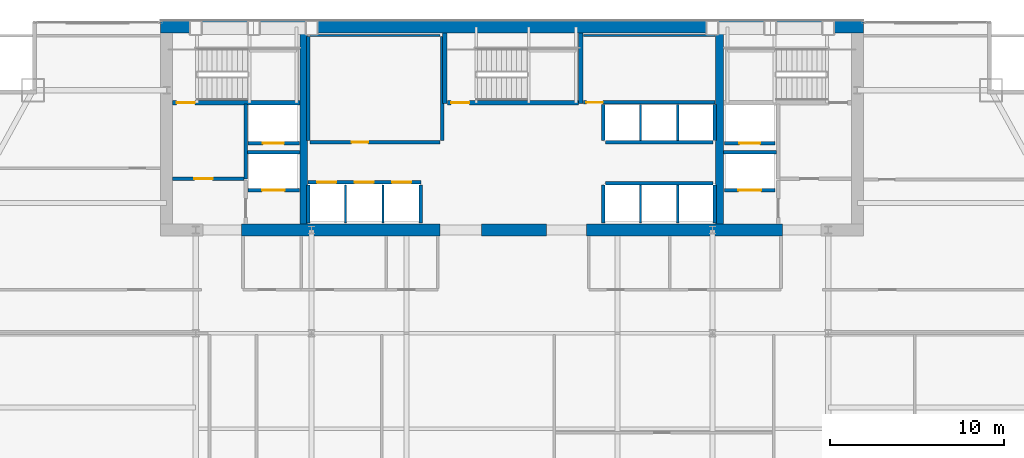
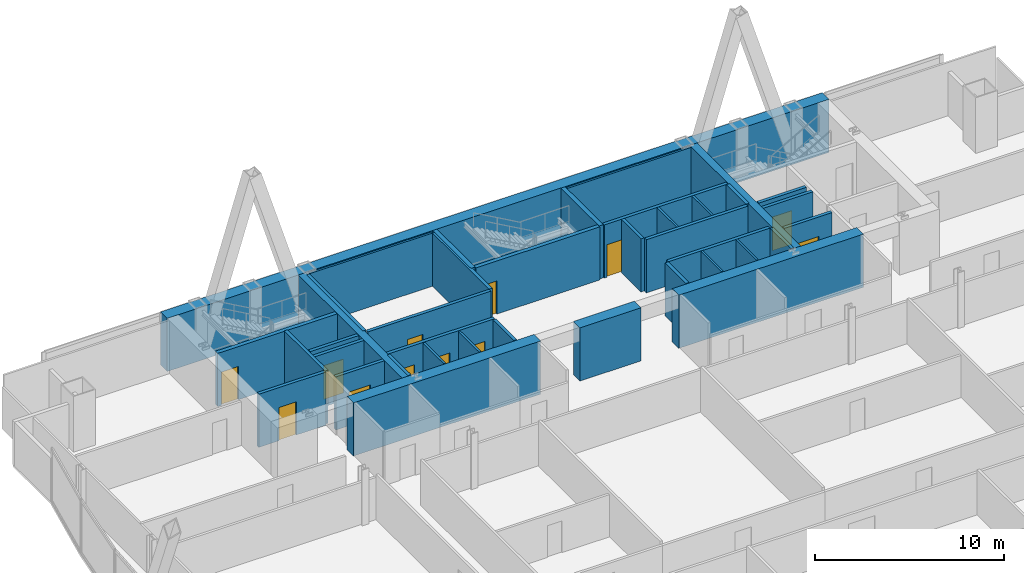
# One storey, part 27 of 30: 39 walls, 12 doors, 12 openings.
"""IFC4 building model written with IfcOpenShell, lengths in metres."""

from ifc_helpers import new_model, si_unit, direction, frame, frame_2d, origin, place, context, subcontext, project, spatial, rectangle, extrude, material, layer, layer_set, type_object, element, fill, save


model = new_model("IFC4")

# Units and contexts
model_context = context("Model", 3, precision=1e-05, world=origin(), true_north=direction((0.0, 1.0)))
body_context = subcontext(model_context, "Body", "Model", "MODEL_VIEW")
ifc_project = project(units=[si_unit("LENGTHUNIT", "METRE"), si_unit("AREAUNIT", "SQUARE_METRE"), si_unit("VOLUMEUNIT", "CUBIC_METRE"), si_unit("PLANEANGLEUNIT", "RADIAN"), si_unit("MASSUNIT", "GRAM", prefix="KILO")], contexts=[model_context])

# Site, building, storey
site_placement = place(None, origin())
site = spatial("IfcSite", under=ifc_project, at=site_placement, CompositionType="ELEMENT")
building_placement = place(site_placement, origin())
building = spatial("IfcBuilding", under=site, at=building_placement, Name="Khoronbel Lancet Exchange", CompositionType="ELEMENT")
storey_placement = place(building_placement, frame((0.0, 0.0, 157.800048828125)))
storey = spatial("IfcBuildingStorey", under=building, at=storey_placement, Name="L39", CompositionType="ELEMENT", Elevation=157.800048828125)

# Walls
ifc_material_1 = material(Name="Concrete C80/95", Category="concrete")
ifc_layer_1 = layer(ifc_material_1, 0.699951171875, Name="Concrete C80/95")
ifc_layer_set_1 = layer_set([ifc_layer_1], Name="Concrete C80/95")
wall_type_1 = type_object("IfcWallType", Name="WL-CW2", PredefinedType="SHEAR", material=ifc_layer_set_1)
wall_1_placement = place(storey_placement, frame((16.199951171875, 53.35009765625, 0.0), z_axis=(0.0, 0.0, 1.0), x_axis=(1.0, 0.0, 0.0)))
element("IfcWall", 1, at=wall_1_placement, inside=storey, type_object=wall_type_1, Name="Level L39 rear core north shear wall", PredefinedType="SHEAR", context=body_context, shape_type="SweptSolid", body=[
    extrude(rectangle(XDim=40.5, YDim=0.699951171875, at=frame_2d((20.25, 0.0))), origin(), (0.0, 0.0, 1.0), 3.43994140625),
])
wall_2_placement = place(storey_placement, frame((32.300048828125, 41.64990234375, 0.0), z_axis=(0.0, 0.0, 1.0), x_axis=(-1.0, 0.0, 0.0)))
element("IfcWall", 2, at=wall_2_placement, inside=storey, type_object=wall_type_1, Name="Level L39 rear core south shear wall pier P2", PredefinedType="SHEAR", context=body_context, shape_type="SweptSolid", body=[
    extrude(rectangle(XDim=11.449951171875, YDim=0.699951171875, at=frame_2d((5.72509765625, 0.0))), origin(), (0.0, 0.0, 1.0), 3.43994140625),
])
wall_3_placement = place(storey_placement, frame((38.449951171875, 41.64990234375, 0.0), z_axis=(0.0, 0.0, 1.0), x_axis=(-1.0, 0.0, 0.0)))
element("IfcWall", 3, at=wall_3_placement, inside=storey, type_object=wall_type_1, Name="Level L39 rear core south shear wall pier P3", PredefinedType="SHEAR", context=body_context, shape_type="SweptSolid", body=[
    extrude(rectangle(XDim=3.75, YDim=0.699951171875, at=frame_2d((1.875, 0.0))), origin(), (0.0, 0.0, 1.0), 3.43994140625),
])
wall_4_placement = place(storey_placement, frame((52.050048828125, 41.64990234375, 0.0), z_axis=(0.0, 0.0, 1.0), x_axis=(-1.0, 0.0, 0.0)))
element("IfcWall", 4, at=wall_4_placement, inside=storey, type_object=wall_type_1, Name="Level L39 rear core south shear wall pier P4", PredefinedType="SHEAR", context=body_context, shape_type="SweptSolid", body=[
    extrude(rectangle(XDim=11.300048828125, YDim=0.699951171875, at=frame_2d((5.64990234375, 0.0))), origin(), (0.0, 0.0, 1.0), 3.43994140625),
])
ifc_material_2 = material(Name="Fire-Rated Metal-Stud & Mineral-Wool Gypsum Partition 120 mm", Category="gypsum")
ifc_layer_2 = layer(ifc_material_2, 0.1201171875, Name="Fire-Rated Metal-Stud & Mineral-Wool Gypsum Partition 120 mm")
ifc_layer_set_2 = layer_set([ifc_layer_2], Name="Fire-Rated Metal-Stud & Mineral-Wool Gypsum Partition 120 mm")
wall_type_2 = type_object("IfcWallType", Name="WL-PRT120F", PredefinedType="PARTITIONING", material=ifc_layer_set_2)
wall_5_placement = place(storey_placement, frame((24.804931640625, 52.860107421875, 0.0), z_axis=(0.0, 0.0, 1.0), x_axis=(1.0, 0.0, 0.0)))
element("IfcWall", 5, at=wall_5_placement, inside=storey, type_object=wall_type_2, Name="Level L39 interior partition CW-PL-RN", PredefinedType="PARTITIONING", context=body_context, shape_type="SweptSolid", body=[
    extrude(rectangle(XDim=7.510009765625, YDim=0.1201171875, at=frame_2d((3.7548828125, 0.0))), origin(), (0.0, 0.0, 1.0), 3.43994140625),
])
for number, where, z_axis, x_axis, name in (
    (6, (26.860107421875, 42.050048828125, 0.0), (0.0, 0.0, 1.0), (0.0, 1.0, 0.0), "Level L39 interior partition CW-PM-D1"),
    (7, (29.02001953125, 42.050048828125, 0.0), (0.0, 0.0, 1.0), (0.0, 1.0, 0.0), "Level L39 interior partition CW-PM-D2"),
):
    element("IfcWall", number, at=place(storey_placement, frame(where, z_axis=z_axis, x_axis=x_axis)), inside=storey, type_object=wall_type_2, Name=name, PredefinedType="PARTITIONING", context=body_context, shape_type="SweptSolid", body=[
        extrude(rectangle(XDim=2.199951171875, YDim=0.1201171875, at=frame_2d((1.10009765625, 0.0))), origin(), (0.0, 0.0, 1.0), 3.43994140625),
    ])
for number, where, z_axis, x_axis, name in (
    (8, (43.860107421875, 46.804931640625, 0.0), (0.0, 0.0, 1.0), (0.0, 1.0, 0.0), "Level L39 interior partition CW-PH-D1"),
    (9, (46.0, 46.804931640625, 0.0), (0.0, 0.0, 1.0), (0.0, 1.0, 0.0), "Level L39 interior partition CW-PH-D2"),
):
    element("IfcWall", number, at=place(storey_placement, frame(where, z_axis=z_axis, x_axis=x_axis)), inside=storey, type_object=wall_type_2, Name=name, PredefinedType="PARTITIONING", context=body_context, shape_type="SweptSolid", body=[
        extrude(rectangle(XDim=2.090087890625, YDim=0.1201171875, at=frame_2d((1.044921875, 0.0))), origin(), (0.0, 0.0, 1.0), 3.43994140625),
    ])
for number, where, z_axis, x_axis, name in (
    (10, (43.860107421875, 42.050048828125, 0.0), (0.0, 0.0, 1.0), (0.0, 1.0, 0.0), "Level L39 interior partition CW-PX-D1"),
    (11, (46.0, 42.050048828125, 0.0), (0.0, 0.0, 1.0), (0.0, 1.0, 0.0), "Level L39 interior partition CW-PX-D2"),
):
    element("IfcWall", number, at=place(storey_placement, frame(where, z_axis=z_axis, x_axis=x_axis)), inside=storey, type_object=wall_type_2, Name=name, PredefinedType="PARTITIONING", context=body_context, shape_type="SweptSolid", body=[
        extrude(rectangle(XDim=2.195068359375, YDim=0.1201171875, at=frame_2d((1.09765625, 0.0))), origin(), (0.0, 0.0, 1.0), 3.43994140625),
    ])
wall_6_placement = place(storey_placement, frame((40.580078125, 52.860107421875, 0.0), z_axis=(0.0, 0.0, 1.0), x_axis=(1.0, 0.0, 0.0)))
element("IfcWall", 12, at=wall_6_placement, inside=storey, type_object=wall_type_2, Name="Level L39 interior partition CW-SUP-NE-N", PredefinedType="PARTITIONING", context=body_context, shape_type="SweptSolid", body=[
    extrude(rectangle(XDim=7.559814453125, YDim=0.1201171875, at=frame_2d((3.77978515625, 0.0))), origin(), (0.0, 0.0, 1.0), 3.43994140625),
])

# Wall, openings, doors
ifc_material_3 = material(Name="Autoclaved Aerated Concrete Blockwork 200 mm", Category="masonry")
ifc_layer_3 = layer(ifc_material_3, 0.199951171875, Name="Autoclaved Aerated Concrete Blockwork 200 mm")
ifc_layer_set_3 = layer_set([ifc_layer_3], Name="Autoclaved Aerated Concrete Blockwork 200 mm")
wall_type_3 = type_object("IfcWallType", Name="WL-PRT200", PredefinedType="PARTITIONING", material=ifc_layer_set_3)
wall_7_placement = place(storey_placement, frame((24.68994140625, 44.39990234375, 0.0), z_axis=(0.0, 0.0, 1.0), x_axis=(1.0, 0.0, 0.0)))
wall_7 = element("IfcWall", 13, at=wall_7_placement, inside=storey, type_object=wall_type_3, Name="Level L39 elevator hoistway landing front wall PMW", PredefinedType="PARTITIONING", context=body_context, shape_type="SweptSolid", body=[
    extrude(rectangle(XDim=6.530029296875, YDim=0.199951171875, at=frame_2d((3.26513671875, 0.0))), origin(), (0.0, 0.0, 1.0), 3.43994140625),
])
opening_1_placement = place(wall_7_placement, frame((0.530029296875, 0.0, 0.0)))
opening_1 = element("IfcOpeningElement", 14, at=opening_1_placement, cuts=wall_7, Name="Opening LD-PM1", PredefinedType="OPENING", context=body_context, shape_type="SweptSolid", body=[
    extrude(rectangle(XDim=1.10009765625, YDim=2.179931640625, at=frame_2d((0.550048828125, 1.08984375))), frame((0.0, 0.10986328125, 0.0), z_axis=(0.0, -1.0, 0.0), x_axis=(1.0, 0.0, 0.0)), (0.0, 0.0, 1.0), 0.219970703125),
])
opening_2_placement = place(wall_7_placement, frame((2.68994140625, 0.0, 0.0)))
opening_2 = element("IfcOpeningElement", 15, at=opening_2_placement, cuts=wall_7, Name="Opening LD-PM2", PredefinedType="OPENING", context=body_context, shape_type="SweptSolid", body=[
    extrude(rectangle(XDim=1.10009765625, YDim=2.179931640625, at=frame_2d((0.550048828125, 1.08984375))), frame((0.0, 0.10986328125, 0.0), z_axis=(0.0, -1.0, 0.0), x_axis=(1.0, 0.0, 0.0)), (0.0, 0.0, 1.0), 0.219970703125),
])
opening_3_placement = place(wall_7_placement, frame((4.85009765625, 0.0, 0.0)))
opening_3 = element("IfcOpeningElement", 16, at=opening_3_placement, cuts=wall_7, Name="Opening LD-PM3", PredefinedType="OPENING", context=body_context, shape_type="SweptSolid", body=[
    extrude(rectangle(XDim=1.10009765625, YDim=2.179931640625, at=frame_2d((0.550048828125, 1.08984375))), frame((0.0, 0.10986328125, 0.0), z_axis=(0.0, -1.0, 0.0), x_axis=(1.0, 0.0, 0.0)), (0.0, 0.0, 1.0), 0.219970703125),
])
ifc_material_4 = material(Name="Brushed Bronze Bi-Parting Elevator Landing Door", Category="steel")
door_type_1 = type_object("IfcDoorType", Name="DR-LD-PAX", OperationType="NOTDEFINED", PredefinedType="DOOR", material=ifc_material_4)
door_1_placement = place(opening_1_placement, origin())
door_1 = element("IfcDoor", 17, at=door_1_placement, inside=storey, type_object=door_type_1, Name="Elevator landing sliding door LD-PM1 L39", OperationType="SLIDING_TO_LEFT", OverallHeight=2.179931640625, OverallWidth=1.10009765625, PredefinedType="DOOR", context=body_context, shape_type="SweptSolid", body=[
    extrude(rectangle(XDim=1.10009765625, YDim=2.179931640625, at=frame_2d((0.550048828125, 1.08984375))), frame((0.0, 0.02490234375, 0.0), z_axis=(0.0, -1.0, 0.0), x_axis=(1.0, 0.0, 0.0)), (0.0, 0.0, 1.0), 0.050048828125),
])
fill(opening_1, door_1)
door_2_placement = place(opening_2_placement, origin())
door_2 = element("IfcDoor", 18, at=door_2_placement, inside=storey, type_object=door_type_1, Name="Elevator landing sliding door LD-PM2 L39", OperationType="SLIDING_TO_LEFT", OverallHeight=2.179931640625, OverallWidth=1.10009765625, PredefinedType="DOOR", context=body_context, shape_type="SweptSolid", body=[
    extrude(rectangle(XDim=1.10009765625, YDim=2.179931640625, at=frame_2d((0.550048828125, 1.08984375))), frame((0.0, 0.02490234375, 0.0), z_axis=(0.0, -1.0, 0.0), x_axis=(1.0, 0.0, 0.0)), (0.0, 0.0, 1.0), 0.050048828125),
])
fill(opening_2, door_2)
door_3_placement = place(opening_3_placement, origin())
door_3 = element("IfcDoor", 19, at=door_3_placement, inside=storey, type_object=door_type_1, Name="Elevator landing sliding door LD-PM3 L39", OperationType="SLIDING_TO_LEFT", OverallHeight=2.179931640625, OverallWidth=1.10009765625, PredefinedType="DOOR", context=body_context, shape_type="SweptSolid", body=[
    extrude(rectangle(XDim=1.10009765625, YDim=2.179931640625, at=frame_2d((0.550048828125, 1.08984375))), frame((0.0, 0.02490234375, 0.0), z_axis=(0.0, -1.0, 0.0), x_axis=(1.0, 0.0, 0.0)), (0.0, 0.0, 1.0), 0.050048828125),
])
fill(opening_3, door_3)

# Wall, opening, door
wall_8_placement = place(storey_placement, frame((51.610107421875, 43.949951171875, 0.0), z_axis=(0.0, 0.0, 1.0), x_axis=(-1.0, 0.0, 0.0)))
wall_8 = element("IfcWall", 20, at=wall_8_placement, inside=storey, type_object=wall_type_3, Name="Level L39 elevator hoistway landing front wall SVLE", PredefinedType="PARTITIONING", context=body_context, shape_type="SweptSolid", body=[
    extrude(rectangle(XDim=2.920166015625, YDim=0.199951171875, at=frame_2d((1.4599609375, 0.0))), origin(), (0.0, 0.0, 1.0), 3.43994140625),
])
opening_4_placement = place(wall_8_placement, frame((0.81005859375, 0.0, 0.0)))
opening_4 = element("IfcOpeningElement", 21, at=opening_4_placement, cuts=wall_8, Name="Opening LD-SVL2", PredefinedType="OPENING", context=body_context, shape_type="SweptSolid", body=[
    extrude(rectangle(XDim=1.300048828125, YDim=2.179931640625, at=frame_2d((0.64990234375, 1.08984375))), frame((0.0, 0.10986328125, 0.0), z_axis=(0.0, -1.0, 0.0), x_axis=(1.0, 0.0, 0.0)), (0.0, 0.0, 1.0), 0.219970703125),
])
ifc_material_5 = material(Name="Heavy-Duty Bi-Parting Goods Lift Landing Door", Category="steel")
door_type_2 = type_object("IfcDoorType", Name="DR-LD-SVL", OperationType="NOTDEFINED", PredefinedType="DOOR", material=ifc_material_5)
door_4_placement = place(opening_4_placement, origin())
door_4 = element("IfcDoor", 22, at=door_4_placement, inside=storey, type_object=door_type_2, Name="Elevator landing sliding door LD-SVL2 L39", OperationType="SLIDING_TO_LEFT", OverallHeight=2.179931640625, OverallWidth=1.300048828125, PredefinedType="DOOR", context=body_context, shape_type="SweptSolid", body=[
    extrude(rectangle(XDim=1.300048828125, YDim=2.179931640625, at=frame_2d((0.64990234375, 1.08984375))), frame((0.0, 0.02490234375, 0.0), z_axis=(0.0, -1.0, 0.0), x_axis=(1.0, 0.0, 0.0)), (0.0, 0.0, 1.0), 0.050048828125),
])
fill(opening_4, door_4)

wall_9_placement = place(storey_placement, frame((24.2099609375, 43.949951171875, 0.0), z_axis=(0.0, 0.0, 1.0), x_axis=(-1.0, 0.0, 0.0)))
wall_9 = element("IfcWall", 23, at=wall_9_placement, inside=storey, type_object=wall_type_3, Name="Level L39 elevator hoistway landing front wall SVLW", PredefinedType="PARTITIONING", context=body_context, shape_type="SweptSolid", body=[
    extrude(rectangle(XDim=2.969970703125, YDim=0.199951171875, at=frame_2d((1.48486328125, 0.0))), origin(), (0.0, 0.0, 1.0), 3.43994140625),
])
opening_5_placement = place(wall_9_placement, frame((0.860107421875, 0.0, 0.0)))
opening_5 = element("IfcOpeningElement", 24, at=opening_5_placement, cuts=wall_9, Name="Opening LD-SVL1", PredefinedType="OPENING", context=body_context, shape_type="SweptSolid", body=[
    extrude(rectangle(XDim=1.300048828125, YDim=2.179931640625, at=frame_2d((0.64990234375, 1.08984375))), frame((0.0, 0.10986328125, 0.0), z_axis=(0.0, -1.0, 0.0), x_axis=(1.0, 0.0, 0.0)), (0.0, 0.0, 1.0), 0.219970703125),
])
door_5_placement = place(opening_5_placement, origin())
door_5 = element("IfcDoor", 25, at=door_5_placement, inside=storey, type_object=door_type_2, Name="Elevator landing sliding door LD-SVL1 L39", OperationType="SLIDING_TO_LEFT", OverallHeight=2.179931640625, OverallWidth=1.300048828125, PredefinedType="DOOR", context=body_context, shape_type="SweptSolid", body=[
    extrude(rectangle(XDim=1.300048828125, YDim=2.179931640625, at=frame_2d((0.64990234375, 1.08984375))), frame((0.0, 0.02490234375, 0.0), z_axis=(0.0, -1.0, 0.0), x_axis=(1.0, 0.0, 0.0)), (0.0, 0.0, 1.0), 0.050048828125),
])
fill(opening_5, door_5)

wall_10_placement = place(storey_placement, frame((51.610107421875, 46.64990234375, 0.0), z_axis=(0.0, 0.0, 1.0), x_axis=(-1.0, 0.0, 0.0)))
wall_10 = element("IfcWall", 26, at=wall_10_placement, inside=storey, type_object=wall_type_3, Name="Level L39 elevator hoistway landing front wall FFLE", PredefinedType="PARTITIONING", context=body_context, shape_type="SweptSolid", body=[
    extrude(rectangle(XDim=2.920166015625, YDim=0.199951171875, at=frame_2d((1.4599609375, 0.0))), origin(), (0.0, 0.0, 1.0), 3.43994140625),
])
opening_6_placement = place(wall_10_placement, frame((0.860107421875, 0.0, 0.0)))
opening_6 = element("IfcOpeningElement", 27, at=opening_6_placement, cuts=wall_10, Name="Opening LD-FFL2", PredefinedType="OPENING", context=body_context, shape_type="SweptSolid", body=[
    extrude(rectangle(XDim=1.199951171875, YDim=2.179931640625, at=frame_2d((0.60009765625, 1.08984375))), frame((0.0, 0.10986328125, 0.0), z_axis=(0.0, -1.0, 0.0), x_axis=(1.0, 0.0, 0.0)), (0.0, 0.0, 1.0), 0.219970703125),
])
ifc_material_6 = material(Name="Fire-Rated Stainless Bi-Parting Firefighting Lift Door", Category="steel")
door_type_3 = type_object("IfcDoorType", Name="DR-LD-FFL", OperationType="NOTDEFINED", PredefinedType="DOOR", material=ifc_material_6)
door_6_placement = place(opening_6_placement, origin())
door_6 = element("IfcDoor", 28, at=door_6_placement, inside=storey, type_object=door_type_3, Name="Elevator landing sliding door LD-FFL2 L39", OperationType="SLIDING_TO_LEFT", OverallHeight=2.179931640625, OverallWidth=1.199951171875, PredefinedType="DOOR", context=body_context, shape_type="SweptSolid", body=[
    extrude(rectangle(XDim=1.199951171875, YDim=2.179931640625, at=frame_2d((0.60009765625, 1.08984375))), frame((0.0, 0.02490234375, 0.0), z_axis=(0.0, -1.0, 0.0), x_axis=(1.0, 0.0, 0.0)), (0.0, 0.0, 1.0), 0.050048828125),
])
fill(opening_6, door_6)

wall_11_placement = place(storey_placement, frame((24.2099609375, 46.64990234375, 0.0), z_axis=(0.0, 0.0, 1.0), x_axis=(-1.0, 0.0, 0.0)))
wall_11 = element("IfcWall", 29, at=wall_11_placement, inside=storey, type_object=wall_type_3, Name="Level L39 elevator hoistway landing front wall FFLW", PredefinedType="PARTITIONING", context=body_context, shape_type="SweptSolid", body=[
    extrude(rectangle(XDim=2.969970703125, YDim=0.199951171875, at=frame_2d((1.48486328125, 0.0))), origin(), (0.0, 0.0, 1.0), 3.43994140625),
])
opening_7_placement = place(wall_11_placement, frame((0.909912109375, 0.0, 0.0)))
opening_7 = element("IfcOpeningElement", 30, at=opening_7_placement, cuts=wall_11, Name="Opening LD-FFL1", PredefinedType="OPENING", context=body_context, shape_type="SweptSolid", body=[
    extrude(rectangle(XDim=1.199951171875, YDim=2.179931640625, at=frame_2d((0.60009765625, 1.08984375))), frame((0.0, 0.10986328125, 0.0), z_axis=(0.0, -1.0, 0.0), x_axis=(1.0, 0.0, 0.0)), (0.0, 0.0, 1.0), 0.219970703125),
])
door_7_placement = place(opening_7_placement, origin())
door_7 = element("IfcDoor", 31, at=door_7_placement, inside=storey, type_object=door_type_3, Name="Elevator landing sliding door LD-FFL1 L39", OperationType="SLIDING_TO_LEFT", OverallHeight=2.179931640625, OverallWidth=1.199951171875, PredefinedType="DOOR", context=body_context, shape_type="SweptSolid", body=[
    extrude(rectangle(XDim=1.199951171875, YDim=2.179931640625, at=frame_2d((0.60009765625, 1.08984375))), frame((0.0, 0.02490234375, 0.0), z_axis=(0.0, -1.0, 0.0), x_axis=(1.0, 0.0, 0.0)), (0.0, 0.0, 1.0), 0.050048828125),
])
fill(opening_7, door_7)

# Wall
wall_12_placement = place(storey_placement, frame((21.10009765625, 44.60009765625, 0.0), z_axis=(0.0, 0.0, 1.0), x_axis=(0.0, 1.0, 0.0)))
element("IfcWall", 32, at=wall_12_placement, inside=storey, type_object=wall_type_3, Name="Level L39 interior partition CW-FFLW-E", PredefinedType="PARTITIONING", context=body_context, shape_type="SweptSolid", body=[
    extrude(rectangle(XDim=4.2998046875, YDim=0.199951171875, at=frame_2d((2.14990234375, 0.0))), origin(), (0.0, 0.0, 1.0), 3.43994140625),
])

# Wall, opening, door
wall_13_placement = place(storey_placement, frame((16.89990234375, 44.60009765625, 0.0), z_axis=(0.0, 0.0, 1.0), x_axis=(1.0, 0.0, 0.0)))
wall_13 = element("IfcWall", 33, at=wall_13_placement, inside=storey, type_object=wall_type_3, Name="Level L39 interior partition CW-FFLW-S", PredefinedType="PARTITIONING", context=body_context, shape_type="SweptSolid", body=[
    extrude(rectangle(XDim=4.10009765625, YDim=0.199951171875, at=frame_2d((2.050048828125, 0.0))), origin(), (0.0, 0.0, 1.0), 3.43994140625),
])
opening_8_placement = place(wall_13_placement, frame((1.25, 0.0, 0.0)))
opening_8 = element("IfcOpeningElement", 34, at=opening_8_placement, cuts=wall_13, Name="Opening FD1", PredefinedType="OPENING", context=body_context, shape_type="SweptSolid", body=[
    extrude(rectangle(XDim=1.050048828125, YDim=2.14990234375, at=frame_2d((0.52490234375, 1.074951171875))), frame((0.0, 0.10986328125, 0.0), z_axis=(0.0, -1.0, 0.0), x_axis=(1.0, 0.0, 0.0)), (0.0, 0.0, 1.0), 0.219970703125),
])
ifc_material_7 = material(Name="Fire-Rated Painted Steel Door Assembly", Category="steel")
door_type_4 = type_object("IfcDoorType", Name="DR-FD1", OperationType="NOTDEFINED", PredefinedType="DOOR", material=ifc_material_7)
door_8_placement = place(opening_8_placement, origin())
door_8 = element("IfcDoor", 35, at=door_8_placement, inside=storey, type_object=door_type_4, Name="West firefighting lobby FD90S door L39-1", OperationType="SINGLE_SWING_LEFT", OverallHeight=2.14990234375, OverallWidth=1.050048828125, PredefinedType="DOOR", context=body_context, shape_type="SweptSolid", body=[
    extrude(rectangle(XDim=1.050048828125, YDim=2.14990234375, at=frame_2d((0.52490234375, 1.074951171875))), frame((0.0, 0.02490234375, 0.0), z_axis=(0.0, -1.0, 0.0), x_axis=(1.0, 0.0, 0.0)), (0.0, 0.0, 1.0), 0.050048828125),
])
fill(opening_8, door_8)

# Walls
wall_14_placement = place(storey_placement, frame((21.199951171875, 46.1201171875, 0.0), z_axis=(0.0, 0.0, 1.0), x_axis=(1.0, 0.0, 0.0)))
element("IfcWall", 36, at=wall_14_placement, inside=storey, type_object=wall_type_3, Name="Level L39 interior partition CW-FFL1-S", PredefinedType="PARTITIONING", context=body_context, shape_type="SweptSolid", body=[
    extrude(rectangle(XDim=3.02001953125, YDim=0.199951171875, at=frame_2d((1.510009765625, 0.0))), origin(), (0.0, 0.0, 1.0), 3.43994140625),
])
wall_15_placement = place(storey_placement, frame((48.6298828125, 46.1201171875, 0.0), z_axis=(0.0, 0.0, 1.0), x_axis=(1.0, 0.0, 0.0)))
element("IfcWall", 37, at=wall_15_placement, inside=storey, type_object=wall_type_3, Name="Level L39 interior partition CW-FFL2-S", PredefinedType="PARTITIONING", context=body_context, shape_type="SweptSolid", body=[
    extrude(rectangle(XDim=3.070068359375, YDim=0.199951171875, at=frame_2d((1.53515625, 0.0))), origin(), (0.0, 0.0, 1.0), 3.43994140625),
])
for number, where, z_axis, x_axis, name in (
    (38, (24.699951171875, 46.804931640625, 0.0), (0.0, 0.0, 1.0), (0.0, 1.0, 0.0), "Level L39 interior partition CW-PL-RW"),
    (39, (32.419921875, 46.804931640625, 0.0), (0.0, 0.0, 1.0), (0.0, 1.0, 0.0), "Level L39 interior partition CW-PL-RE"),
):
    element("IfcWall", number, at=place(storey_placement, frame(where, z_axis=z_axis, x_axis=x_axis)), inside=storey, type_object=wall_type_3, Name=name, PredefinedType="PARTITIONING", context=body_context, shape_type="SweptSolid", body=[
        extrude(rectangle(XDim=5.989990234375, YDim=0.199951171875, at=frame_2d((2.9951171875, 0.0))), origin(), (0.0, 0.0, 1.0), 3.43994140625),
    ])

# Wall, opening, door
wall_16_placement = place(storey_placement, frame((24.804931640625, 46.699951171875, 0.0), z_axis=(0.0, 0.0, 1.0), x_axis=(1.0, 0.0, 0.0)))
wall_16 = element("IfcWall", 40, at=wall_16_placement, inside=storey, type_object=wall_type_3, Name="Level L39 interior partition CW-PL-RF", PredefinedType="PARTITIONING", context=body_context, shape_type="SweptSolid", body=[
    extrude(rectangle(XDim=7.510009765625, YDim=0.199951171875, at=frame_2d((3.7548828125, 0.0))), origin(), (0.0, 0.0, 1.0), 3.43994140625),
])
opening_9_placement = place(wall_16_placement, frame((2.39990234375, 0.0, 0.0)))
opening_9 = element("IfcOpeningElement", 41, at=opening_9_placement, cuts=wall_16, Name="Opening FD3", PredefinedType="OPENING", context=body_context, shape_type="SweptSolid", body=[
    extrude(rectangle(XDim=0.949951171875, YDim=2.10009765625, at=frame_2d((0.47509765625, 1.050048828125))), frame((0.0, 0.10986328125, 0.0), z_axis=(0.0, -1.0, 0.0), x_axis=(1.0, 0.0, 0.0)), (0.0, 0.0, 1.0), 0.219970703125),
])
ifc_material_8 = material(Name="Fire-Rated Steel Plant & Riser Door Assembly", Category="steel")
door_type_5 = type_object("IfcDoorType", Name="DR-FD3", OperationType="NOTDEFINED", PredefinedType="DOOR", material=ifc_material_8)
door_9_placement = place(opening_9_placement, origin())
door_9 = element("IfcDoor", 42, at=door_9_placement, inside=storey, type_object=door_type_5, Name="Reclaimed PL room door L39-1", OperationType="SINGLE_SWING_LEFT", OverallHeight=2.10009765625, OverallWidth=0.949951171875, PredefinedType="DOOR", context=body_context, shape_type="SweptSolid", body=[
    extrude(rectangle(XDim=0.949951171875, YDim=2.10009765625, at=frame_2d((0.47509765625, 1.050048828125))), frame((0.0, 0.02490234375, 0.0), z_axis=(0.0, -1.0, 0.0), x_axis=(1.0, 0.0, 0.0)), (0.0, 0.0, 1.0), 0.050048828125),
])
fill(opening_9, door_9)

# Walls
for number, where, z_axis, x_axis, name in (
    (43, (24.699951171875, 42.050048828125, 0.0), (0.0, 0.0, 1.0), (0.0, 1.0, 0.0), "Level L39 interior partition CW-PM-W"),
    (44, (31.179931640625, 42.050048828125, 0.0), (0.0, 0.0, 1.0), (0.0, 1.0, 0.0), "Level L39 interior partition CW-PM-E"),
):
    element("IfcWall", number, at=place(storey_placement, frame(where, z_axis=z_axis, x_axis=x_axis)), inside=storey, type_object=wall_type_3, Name=name, PredefinedType="PARTITIONING", context=body_context, shape_type="SweptSolid", body=[
        extrude(rectangle(XDim=2.199951171875, YDim=0.199951171875, at=frame_2d((1.10009765625, 0.0))), origin(), (0.0, 0.0, 1.0), 3.43994140625),
    ])
wall_17_placement = place(storey_placement, frame((41.824951171875, 46.699951171875, 0.0), z_axis=(0.0, 0.0, 1.0), x_axis=(1.0, 0.0, 0.0)))
element("IfcWall", 45, at=wall_17_placement, inside=storey, type_object=wall_type_3, Name="Level L39 interior partition CW-PH-EXP", PredefinedType="PARTITIONING", context=body_context, shape_type="SweptSolid", body=[
    extrude(rectangle(XDim=6.2099609375, YDim=0.199951171875, at=frame_2d((3.10498046875, 0.0))), origin(), (0.0, 0.0, 1.0), 3.43994140625),
])
for number, where, z_axis, x_axis, name in (
    (46, (41.719970703125, 46.804931640625, 0.0), (0.0, 0.0, 1.0), (0.0, 1.0, 0.0), "Level L39 interior partition CW-PH-W"),
    (47, (48.139892578125, 46.804931640625, 0.0), (0.0, 0.0, 1.0), (0.0, 1.0, 0.0), "Level L39 interior partition CW-PH-E"),
):
    element("IfcWall", number, at=place(storey_placement, frame(where, z_axis=z_axis, x_axis=x_axis)), inside=storey, type_object=wall_type_3, Name=name, PredefinedType="PARTITIONING", context=body_context, shape_type="SweptSolid", body=[
        extrude(rectangle(XDim=2.090087890625, YDim=0.199951171875, at=frame_2d((1.044921875, 0.0))), origin(), (0.0, 0.0, 1.0), 3.43994140625),
    ])
wall_18_placement = place(storey_placement, frame((41.824951171875, 44.35009765625, 0.0), z_axis=(0.0, 0.0, 1.0), x_axis=(1.0, 0.0, 0.0)))
element("IfcWall", 48, at=wall_18_placement, inside=storey, type_object=wall_type_3, Name="Level L39 interior partition CW-PX-EXP", PredefinedType="PARTITIONING", context=body_context, shape_type="SweptSolid", body=[
    extrude(rectangle(XDim=6.2099609375, YDim=0.199951171875, at=frame_2d((3.10498046875, 0.0))), origin(), (0.0, 0.0, 1.0), 3.43994140625),
])
for number, where, z_axis, x_axis, name in (
    (49, (41.719970703125, 42.050048828125, 0.0), (0.0, 0.0, 1.0), (0.0, 1.0, 0.0), "Level L39 interior partition CW-PX-W"),
    (50, (48.139892578125, 42.050048828125, 0.0), (0.0, 0.0, 1.0), (0.0, 1.0, 0.0), "Level L39 interior partition CW-PX-E"),
):
    element("IfcWall", number, at=place(storey_placement, frame(where, z_axis=z_axis, x_axis=x_axis)), inside=storey, type_object=wall_type_3, Name=name, PredefinedType="PARTITIONING", context=body_context, shape_type="SweptSolid", body=[
        extrude(rectangle(XDim=2.195068359375, YDim=0.199951171875, at=frame_2d((1.09765625, 0.0))), origin(), (0.0, 0.0, 1.0), 3.43994140625),
    ])

# Wall, opening, door
wall_19_placement = place(storey_placement, frame((40.580078125, 49.0, 0.0), z_axis=(0.0, 0.0, 1.0), x_axis=(1.0, 0.0, 0.0)))
wall_19 = element("IfcWall", 51, at=wall_19_placement, inside=storey, type_object=wall_type_3, Name="Level L39 interior partition CW-SUP-NE-S", PredefinedType="PARTITIONING", context=body_context, shape_type="SweptSolid", body=[
    extrude(rectangle(XDim=7.559814453125, YDim=0.199951171875, at=frame_2d((3.77978515625, 0.0))), origin(), (0.0, 0.0, 1.0), 3.43994140625),
])
opening_10_placement = place(wall_19_placement, frame((0.159912109375, 0.0, 0.0)))
opening_10 = element("IfcOpeningElement", 52, at=opening_10_placement, cuts=wall_19, Name="Opening FD3", PredefinedType="OPENING", context=body_context, shape_type="SweptSolid", body=[
    extrude(rectangle(XDim=0.949951171875, YDim=2.10009765625, at=frame_2d((0.47509765625, 1.050048828125))), frame((0.0, 0.10986328125, 0.0), z_axis=(0.0, -1.0, 0.0), x_axis=(1.0, 0.0, 0.0)), (0.0, 0.0, 1.0), 0.219970703125),
])
door_10_placement = place(opening_10_placement, origin())
door_10 = element("IfcDoor", 53, at=door_10_placement, inside=storey, type_object=door_type_5, Name="Core NE support room door L39-1", OperationType="SINGLE_SWING_RIGHT", OverallHeight=2.10009765625, OverallWidth=0.949951171875, PredefinedType="DOOR", context=body_context, shape_type="SweptSolid", body=[
    extrude(rectangle(XDim=0.949951171875, YDim=2.10009765625, at=frame_2d((0.47509765625, 1.050048828125))), frame((0.0, 0.02490234375, 0.0), z_axis=(0.0, -1.0, 0.0), x_axis=(1.0, 0.0, 0.0)), (0.0, 0.0, 1.0), 0.050048828125),
])
fill(opening_10, door_10)

# Walls
ifc_layer_4 = layer(ifc_material_1, 0.449951171875, Name="Concrete C80/95")
ifc_layer_set_4 = layer_set([ifc_layer_4], Name="Concrete C80/95")
wall_type_4 = type_object("IfcWallType", Name="WL-SW1", PredefinedType="SHEAR", material=ifc_layer_set_4)
for number, where, z_axis, x_axis, name in (
    (54, (24.449951171875, 42.0, 0.0), (0.0, 0.0, 1.0), (0.0, 1.0, 0.0), "Level L39 rear core internal spine shear wall IW"),
    (55, (48.39990234375, 42.0, 0.0), (0.0, 0.0, 1.0), (0.0, 1.0, 0.0), "Level L39 rear core internal spine shear wall IE"),
):
    element("IfcWall", number, at=place(storey_placement, frame(where, z_axis=z_axis, x_axis=x_axis)), inside=storey, type_object=wall_type_4, Name=name, PredefinedType="SHEAR", context=body_context, shape_type="SweptSolid", body=[
        extrude(rectangle(XDim=11.0, YDim=0.449951171875, at=frame_2d((5.5, 0.0))), origin(), (0.0, 0.0, 1.0), 3.43994140625),
    ])
ifc_material_9 = material(Name="Concrete C60/75", Category="concrete")
ifc_layer_5 = layer(ifc_material_9, 0.260009765625, Name="Concrete C60/75")
ifc_layer_set_5 = layer_set([ifc_layer_5], Name="Concrete C60/75")
wall_type_5 = type_object("IfcWallType", Name="WL-SW3", PredefinedType="SHEAR", material=ifc_layer_set_5)
for number, where, z_axis, x_axis, name in (
    (56, (32.580078125, 48.949951171875, 0.0), (0.0, 0.0, 1.0), (0.0, 1.0, 0.0), "Level L39 central stairwell structural shear wall ST3W"),
    (57, (40.419921875, 48.949951171875, 0.0), (0.0, 0.0, 1.0), (0.0, 1.0, 0.0), "Level L39 central stairwell structural shear wall ST3E"),
):
    element("IfcWall", number, at=place(storey_placement, frame(where, z_axis=z_axis, x_axis=x_axis)), inside=storey, type_object=wall_type_5, Name=name, PredefinedType="SHEAR", context=body_context, shape_type="SweptSolid", body=[
        extrude(rectangle(XDim=4.050048828125, YDim=0.260009765625, at=frame_2d((2.02490234375, 0.0))), origin(), (0.0, 0.0, 1.0), 3.43994140625),
    ])

# Wall, opening, door
wall_20_placement = place(storey_placement, frame((16.89990234375, 48.97998046875, 0.0), z_axis=(0.0, 0.0, 1.0), x_axis=(1.0, 0.0, 0.0)))
wall_20 = element("IfcWall", 58, at=wall_20_placement, inside=storey, type_object=wall_type_5, Name="Level L39 west stairwell structural south wall", PredefinedType="SHEAR", context=body_context, shape_type="SweptSolid", body=[
    extrude(rectangle(XDim=7.320068359375, YDim=0.239990234375, at=frame_2d((3.66015625, 0.0))), origin(), (0.0, 0.0, 1.0), 3.43994140625),
])
opening_11_placement = place(wall_20_placement, frame((0.219970703125, 0.0, 0.0)))
opening_11 = element("IfcOpeningElement", 59, at=opening_11_placement, cuts=wall_20, Name="Opening SD1", PredefinedType="OPENING", context=body_context, shape_type="SweptSolid", body=[
    extrude(rectangle(XDim=1.050048828125, YDim=2.14990234375, at=frame_2d((0.52490234375, 1.074951171875))), frame((0.0, 0.1298828125, 0.0), z_axis=(0.0, -1.0, 0.0), x_axis=(1.0, 0.0, 0.0)), (0.0, 0.0, 1.0), 0.260009765625),
])
ifc_material_10 = material(Name="Fire-Rated Steel Stairwell Door Assembly", Category="steel")
door_type_6 = type_object("IfcDoorType", Name="DR-SD1", OperationType="NOTDEFINED", PredefinedType="DOOR", material=ifc_material_10)
door_11_placement = place(opening_11_placement, origin())
door_11 = element("IfcDoor", 60, at=door_11_placement, inside=storey, type_object=door_type_6, Name="Protected exit stair ST1 door L39", OperationType="SINGLE_SWING_LEFT", OverallHeight=2.14990234375, OverallWidth=1.050048828125, PredefinedType="DOOR", context=body_context, shape_type="SweptSolid", body=[
    extrude(rectangle(XDim=1.050048828125, YDim=2.14990234375, at=frame_2d((0.52490234375, 1.074951171875))), frame((0.0, 0.02490234375, 0.0), z_axis=(0.0, -1.0, 0.0), x_axis=(1.0, 0.0, 0.0)), (0.0, 0.0, 1.0), 0.050048828125),
])
fill(opening_11, door_11)

wall_21_placement = place(storey_placement, frame((32.719970703125, 48.97998046875, 0.0), z_axis=(0.0, 0.0, 1.0), x_axis=(1.0, 0.0, 0.0)))
wall_21 = element("IfcWall", 61, at=wall_21_placement, inside=storey, type_object=wall_type_5, Name="Level L39 central stairwell structural south wall", PredefinedType="SHEAR", context=body_context, shape_type="SweptSolid", body=[
    extrude(rectangle(XDim=7.56005859375, YDim=0.239990234375, at=frame_2d((3.780029296875, 0.0))), origin(), (0.0, 0.0, 1.0), 3.43994140625),
])
opening_12_placement = place(wall_21_placement, frame((0.219970703125, 0.0, 0.0)))
opening_12 = element("IfcOpeningElement", 62, at=opening_12_placement, cuts=wall_21, Name="Opening SD1", PredefinedType="OPENING", context=body_context, shape_type="SweptSolid", body=[
    extrude(rectangle(XDim=1.050048828125, YDim=2.14990234375, at=frame_2d((0.52490234375, 1.074951171875))), frame((0.0, 0.1298828125, 0.0), z_axis=(0.0, -1.0, 0.0), x_axis=(1.0, 0.0, 0.0)), (0.0, 0.0, 1.0), 0.260009765625),
])
door_12_placement = place(opening_12_placement, origin())
door_12 = element("IfcDoor", 63, at=door_12_placement, inside=storey, type_object=door_type_6, Name="Protected exit stair ST3 door L39", OperationType="SINGLE_SWING_LEFT", OverallHeight=2.14990234375, OverallWidth=1.050048828125, PredefinedType="DOOR", context=body_context, shape_type="SweptSolid", body=[
    extrude(rectangle(XDim=1.050048828125, YDim=2.14990234375, at=frame_2d((0.52490234375, 1.074951171875))), frame((0.0, 0.02490234375, 0.0), z_axis=(0.0, -1.0, 0.0), x_axis=(1.0, 0.0, 0.0)), (0.0, 0.0, 1.0), 0.050048828125),
])
fill(opening_12, door_12)

save(model, "model.ifc")
